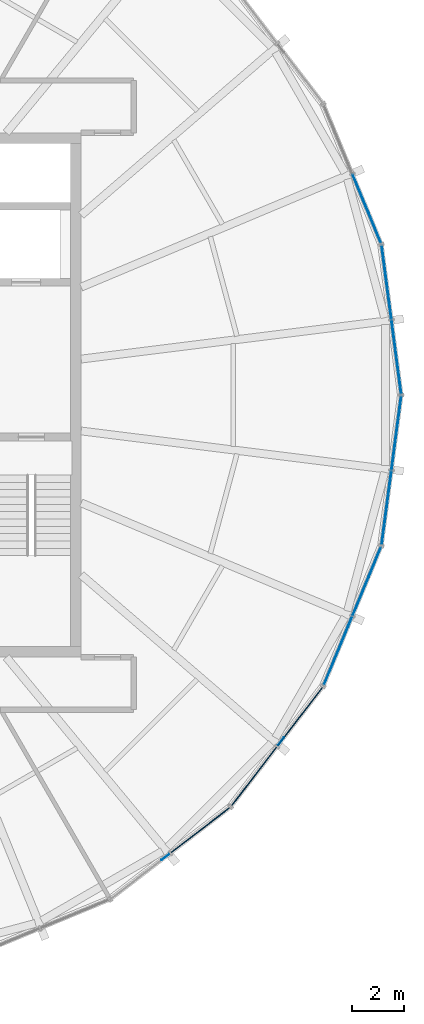
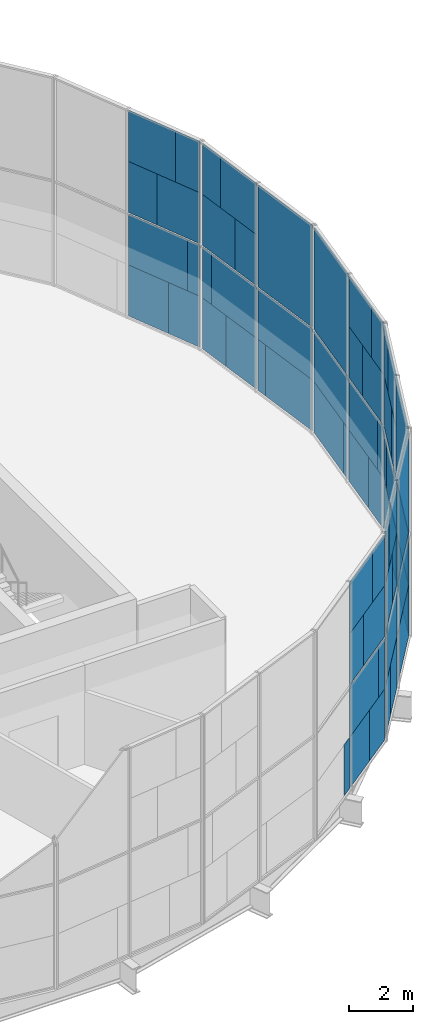
# One storey, part 12 of 19: 65 plates, 6 elements without a shape of their own.
"""IFC4 building model written with IfcOpenShell, lengths in metres."""

from ifc_helpers import new_model, si_unit, direction, frame, origin, origin_2d, place, context, subcontext, project, spatial, rectangle, extrude, material, layer, layer_set, type_object, element, aggregate, save


model = new_model("IFC4")

# Units and contexts
model_context = context("Model", 3, precision=1e-05, world=origin(), true_north=direction((0.0, 1.0)))
body_context = subcontext(model_context, "Body", "Model", "MODEL_VIEW")
ifc_project = project(units=[si_unit("LENGTHUNIT", "METRE"), si_unit("AREAUNIT", "SQUARE_METRE"), si_unit("VOLUMEUNIT", "CUBIC_METRE"), si_unit("PLANEANGLEUNIT", "RADIAN"), si_unit("MASSUNIT", "GRAM", prefix="KILO")], contexts=[model_context])

# Site, building, storey
site_placement = place(None, origin())
site = spatial("IfcSite", under=ifc_project, at=site_placement, CompositionType="ELEMENT")
building_placement = place(site_placement, origin())
building = spatial("IfcBuilding", under=site, at=building_placement, Name="Golbaran Civic Tower", CompositionType="ELEMENT")
storey_placement = place(building_placement, frame((0.0, 0.0, 256.0)))
storey = spatial("IfcBuildingStorey", under=building, at=storey_placement, Name="L62", CompositionType="ELEMENT", Elevation=256.0)

# Curtain wall, plates
ifc_material_1 = material(Name="Aluminium and glass", Category="aluminium")
curtain_wall_type = type_object("IfcCurtainWallType", Name="INNER SKIN CURTAIN WALL EXECUTIVE", PredefinedType="NOTDEFINED", material=ifc_material_1)
curtain_wall_1_placement = place(storey_placement, origin())
curtain_wall_1 = element("IfcCurtainWall", 1, at=curtain_wall_1_placement, inside=storey, type_object=curtain_wall_type, Name="Inner skin L62 facet 1 CW2", ObjectType="INNER SKIN", PredefinedType="USERDEFINED")
ifc_material_2 = material(Name="Clear insulating glass", Category="glass")
ifc_layer_1 = layer(ifc_material_2, 0.031982421875, Name="Clear insulating glass")
ifc_layer_set_1 = layer_set([ifc_layer_1], Name="Clear insulating glass")
plate_type_1 = type_object("IfcPlateType", Name="INNER SKIN CURTAIN WALL EXECUTIVE GLAZED PANEL", PredefinedType="CURTAIN_PANEL", material=ifc_layer_set_1)
plate_1_placement = place(storey_placement, frame((22.048095703125, 1.253173828125, 0.06005859375), z_axis=(0.0, 0.0, 1.0), x_axis=(-0.130526192272, 0.991444861367, 0.0)))
plate_1 = element("IfcPlate", 2, at=plate_1_placement, type_object=plate_type_1, Name="CW2 panel 1.1 part 1", PredefinedType="CURTAIN_PANEL", context=body_context, shape_type="SweptSolid", body=[
    extrude(rectangle(XDim=2.407958984375, YDim=0.031982421875, at=origin_2d()), origin(), (0.0, 0.0, 1.0), 1.955078125),
])
plate_2_placement = place(storey_placement, frame((22.021728515625, 1.4521484375, 2.014892578125), z_axis=(0.0, 0.0, 1.0), x_axis=(-0.130526192272, 0.991444861367, 0.0)))
plate_2 = element("IfcPlate", 3, at=plate_2_placement, type_object=plate_type_1, Name="CW2 panel 1.1 part 3", PredefinedType="CURTAIN_PANEL", context=body_context, shape_type="SweptSolid", body=[
    extrude(rectangle(XDim=2.809326171875, YDim=0.031982421875, at=origin_2d()), origin(), (0.0, 0.0, 1.0), 1.955078125),
])
plate_3_placement = place(storey_placement, frame((22.021728515625, 1.4521484375, 4.0302734375), z_axis=(0.0, 0.0, 1.0), x_axis=(-0.130526192272, 0.991444861367, 0.0)))
plate_3 = element("IfcPlate", 4, at=plate_3_placement, type_object=plate_type_1, Name="CW2 panel 1.2", PredefinedType="CURTAIN_PANEL", context=body_context, shape_type="SweptSolid", body=[
    extrude(rectangle(XDim=2.809326171875, YDim=0.031982421875, at=origin_2d()), origin(), (0.0, 0.0, 1.0), 3.909912109375),
])
plate_4_placement = place(storey_placement, frame((21.5439453125, 5.081298828125, 0.06005859375), z_axis=(0.0, 0.0, 1.0), x_axis=(-0.130526192272, 0.991444861367, 0.0)))
plate_4 = element("IfcPlate", 5, at=plate_4_placement, type_object=plate_type_1, Name="CW2 panel 2.1 part 2", PredefinedType="CURTAIN_PANEL", context=body_context, shape_type="SweptSolid", body=[
    extrude(rectangle(XDim=1.227294921875, YDim=0.031982421875, at=origin_2d()), origin(), (0.0, 0.0, 1.0), 1.955078125),
])
plate_5_placement = place(storey_placement, frame((21.495849609375, 5.447998046875, 2.014892578125), z_axis=(0.0, 0.0, 1.0), x_axis=(-0.130526192272, 0.991444861367, 0.0)))
plate_5 = element("IfcPlate", 6, at=plate_5_placement, type_object=plate_type_1, Name="CW2 panel 2.1 part 4", PredefinedType="CURTAIN_PANEL", context=body_context, shape_type="SweptSolid", body=[
    extrude(rectangle(XDim=0.4873046875, YDim=0.031982421875, at=origin_2d()), origin(), (0.0, 0.0, 1.0), 1.955078125),
])
plate_6_placement = place(storey_placement, frame((21.757568359375, 3.45849609375, 4.030029296875), z_axis=(0.0, 0.0, 1.0), x_axis=(-0.130526192272, 0.991444861367, 0.0)))
plate_6 = element("IfcPlate", 7, at=plate_6_placement, type_object=plate_type_1, Name="CW2 panel 2.2 part 1", PredefinedType="CURTAIN_PANEL", context=body_context, shape_type="SweptSolid", body=[
    extrude(rectangle(XDim=1.117919921875, YDim=0.031982421875, at=origin_2d()), origin(), (0.0, 0.0, 1.0), 1.955078125),
])
plate_7_placement = place(storey_placement, frame((21.70947265625, 3.824951171875, 5.98486328125), z_axis=(0.0, 0.0, 1.0), x_axis=(-0.130526192272, 0.991444861367, 0.0)))
plate_7 = element("IfcPlate", 8, at=plate_7_placement, type_object=plate_type_1, Name="CW2 panel 2.2 part 3", PredefinedType="CURTAIN_PANEL", context=body_context, shape_type="SweptSolid", body=[
    extrude(rectangle(XDim=1.85693359375, YDim=0.031982421875, at=origin_2d()), origin(), (0.0, 0.0, 1.0), 1.955078125),
])

curtain_wall_2_placement = place(storey_placement, origin())
curtain_wall_2 = element("IfcCurtainWall", 9, at=curtain_wall_2_placement, inside=storey, type_object=curtain_wall_type, Name="Inner skin L62 facet 2 CW2", ObjectType="INNER SKIN", PredefinedType="USERDEFINED")
plate_8_placement = place(storey_placement, frame((21.198486328125, 6.371337890625, 0.06005859375), z_axis=(0.0, 0.0, 1.0), x_axis=(-0.382683432365, 0.923879532511, 0.0)))
plate_8 = element("IfcPlate", 10, at=plate_8_placement, type_object=plate_type_1, Name="CW2 panel 1.1 part 1", PredefinedType="CURTAIN_PANEL", context=body_context, shape_type="SweptSolid", body=[
    extrude(rectangle(XDim=1.22705078125, YDim=0.031982421875, at=origin_2d()), origin(), (0.0, 0.0, 1.0), 1.955078125),
])
plate_9_placement = place(storey_placement, frame((21.33984375, 6.030029296875, 2.014892578125), z_axis=(0.0, 0.0, 1.0), x_axis=(-0.382683432365, 0.923879532511, 0.0)))
plate_9 = element("IfcPlate", 11, at=plate_9_placement, type_object=plate_type_1, Name="CW2 panel 1.1 part 3", PredefinedType="CURTAIN_PANEL", context=body_context, shape_type="SweptSolid", body=[
    extrude(rectangle(XDim=0.488037109375, YDim=0.031982421875, at=origin_2d()), origin(), (0.0, 0.0, 1.0), 1.955078125),
])
plate_10_placement = place(storey_placement, frame((20.57177734375, 7.884033203125, 4.030029296875), z_axis=(0.0, 0.0, 1.0), x_axis=(-0.382683432365, 0.923879532511, 0.0)))
plate_10 = element("IfcPlate", 12, at=plate_10_placement, type_object=plate_type_1, Name="CW2 panel 1.2 part 2", PredefinedType="CURTAIN_PANEL", context=body_context, shape_type="SweptSolid", body=[
    extrude(rectangle(XDim=1.117431640625, YDim=0.031982421875, at=origin_2d()), origin(), (0.0, 0.0, 1.0), 1.955078125),
])
plate_11_placement = place(storey_placement, frame((20.71337890625, 7.5419921875, 5.98486328125), z_axis=(0.0, 0.0, 1.0), x_axis=(-0.382683432365, 0.923879532511, 0.0)))
plate_11 = element("IfcPlate", 13, at=plate_11_placement, type_object=plate_type_1, Name="CW2 panel 1.2 part 4", PredefinedType="CURTAIN_PANEL", context=body_context, shape_type="SweptSolid", body=[
    extrude(rectangle(XDim=1.857421875, YDim=0.031982421875, at=origin_2d()), origin(), (0.0, 0.0, 1.0), 1.955078125),
])

curtain_wall_3_placement = place(storey_placement, origin())
curtain_wall_3 = element("IfcCurtainWall", 14, at=curtain_wall_3_placement, inside=storey, type_object=curtain_wall_type, Name="Inner skin L62 facet 21 CW2", ObjectType="INNER SKIN", PredefinedType="USERDEFINED")
plate_12_placement = place(storey_placement, frame((15.172607421875, -16.1171875, 0.06005859375), z_axis=(0.0, 0.0, 1.0), x_axis=(0.793353340238, 0.608761429078, 0.0)))
plate_12 = element("IfcPlate", 15, at=plate_12_placement, type_object=plate_type_1, Name="CW2 panel 2.1 part 2", PredefinedType="CURTAIN_PANEL", context=body_context, shape_type="SweptSolid", body=[
    extrude(rectangle(XDim=1.227294921875, YDim=0.031982421875, at=origin_2d()), origin(), (0.0, 0.0, 1.0), 1.955078125),
])
plate_13_placement = place(storey_placement, frame((15.466064453125, -15.891845703125, 2.014892578125), z_axis=(0.0, 0.0, 1.0), x_axis=(0.793353340238, 0.608761429078, 0.0)))
plate_13 = element("IfcPlate", 16, at=plate_13_placement, type_object=plate_type_1, Name="CW2 panel 2.1 part 4", PredefinedType="CURTAIN_PANEL", context=body_context, shape_type="SweptSolid", body=[
    extrude(rectangle(XDim=0.4873046875, YDim=0.031982421875, at=origin_2d()), origin(), (0.0, 0.0, 1.0), 1.955078125),
])
plate_14_placement = place(storey_placement, frame((13.8740234375, -17.113525390625, 4.030029296875), z_axis=(0.0, 0.0, 1.0), x_axis=(0.793353340238, 0.608761429078, 0.0)))
plate_14 = element("IfcPlate", 17, at=plate_14_placement, type_object=plate_type_1, Name="CW2 panel 2.2 part 1", PredefinedType="CURTAIN_PANEL", context=body_context, shape_type="SweptSolid", body=[
    extrude(rectangle(XDim=1.117919921875, YDim=0.031982421875, at=origin_2d()), origin(), (0.0, 0.0, 1.0), 1.955078125),
])
plate_15_placement = place(storey_placement, frame((14.167236328125, -16.888427734375, 5.98486328125), z_axis=(0.0, 0.0, 1.0), x_axis=(0.793353340238, 0.608761429078, 0.0)))
plate_15 = element("IfcPlate", 18, at=plate_15_placement, type_object=plate_type_1, Name="CW2 panel 2.2 part 3", PredefinedType="CURTAIN_PANEL", context=body_context, shape_type="SweptSolid", body=[
    extrude(rectangle(XDim=1.85693359375, YDim=0.031982421875, at=origin_2d()), origin(), (0.0, 0.0, 1.0), 1.955078125),
])

curtain_wall_4_placement = place(storey_placement, origin())
curtain_wall_4 = element("IfcCurtainWall", 19, at=curtain_wall_4_placement, inside=storey, type_object=curtain_wall_type, Name="Inner skin L62 facet 22 CW2", ObjectType="INNER SKIN", PredefinedType="USERDEFINED")
plate_16_placement = place(storey_placement, frame((16.116943359375, -15.172607421875, 0.06005859375), z_axis=(0.0, 0.0, 1.0), x_axis=(0.608761429078, 0.793353340238, 0.0)))
plate_16 = element("IfcPlate", 20, at=plate_16_placement, type_object=plate_type_1, Name="CW2 panel 1.1 part 1", PredefinedType="CURTAIN_PANEL", context=body_context, shape_type="SweptSolid", body=[
    extrude(rectangle(XDim=1.22705078125, YDim=0.031982421875, at=origin_2d()), origin(), (0.0, 0.0, 1.0), 1.955078125),
])
plate_17_placement = place(storey_placement, frame((15.89208984375, -15.4658203125, 2.014892578125), z_axis=(0.0, 0.0, 1.0), x_axis=(0.608761429078, 0.793353340238, 0.0)))
plate_17 = element("IfcPlate", 21, at=plate_17_placement, type_object=plate_type_1, Name="CW2 panel 1.1 part 3", PredefinedType="CURTAIN_PANEL", context=body_context, shape_type="SweptSolid", body=[
    extrude(rectangle(XDim=0.488037109375, YDim=0.031982421875, at=origin_2d()), origin(), (0.0, 0.0, 1.0), 1.955078125),
])
plate_18_placement = place(storey_placement, frame((17.113525390625, -13.873779296875, 4.030029296875), z_axis=(0.0, 0.0, 1.0), x_axis=(0.608761429078, 0.793353340238, 0.0)))
plate_18 = element("IfcPlate", 22, at=plate_18_placement, type_object=plate_type_1, Name="CW2 panel 1.2 part 2", PredefinedType="CURTAIN_PANEL", context=body_context, shape_type="SweptSolid", body=[
    extrude(rectangle(XDim=1.117431640625, YDim=0.031982421875, at=origin_2d()), origin(), (0.0, 0.0, 1.0), 1.955078125),
])
plate_19_placement = place(storey_placement, frame((16.888427734375, -14.167236328125, 5.98486328125), z_axis=(0.0, 0.0, 1.0), x_axis=(0.608761429078, 0.793353340238, 0.0)))
plate_19 = element("IfcPlate", 23, at=plate_19_placement, type_object=plate_type_1, Name="CW2 panel 1.2 part 4", PredefinedType="CURTAIN_PANEL", context=body_context, shape_type="SweptSolid", body=[
    extrude(rectangle(XDim=1.857421875, YDim=0.031982421875, at=origin_2d()), origin(), (0.0, 0.0, 1.0), 1.955078125),
])
plate_20_placement = place(storey_placement, frame((18.467041015625, -12.10986328125, 0.06005859375), z_axis=(0.0, 0.0, 1.0), x_axis=(0.608761429078, 0.793353340238, 0.0)))
plate_20 = element("IfcPlate", 24, at=plate_20_placement, type_object=plate_type_1, Name="CW2 panel 2.1 part 2", PredefinedType="CURTAIN_PANEL", context=body_context, shape_type="SweptSolid", body=[
    extrude(rectangle(XDim=2.409423828125, YDim=0.031982421875, at=origin_2d()), origin(), (0.0, 0.0, 1.0), 1.955078125),
])
plate_21_placement = place(storey_placement, frame((18.345458984375, -12.2685546875, 2.014892578125), z_axis=(0.0, 0.0, 1.0), x_axis=(0.608761429078, 0.793353340238, 0.0)))
plate_21 = element("IfcPlate", 25, at=plate_21_placement, type_object=plate_type_1, Name="CW2 panel 2.1 part 3", PredefinedType="CURTAIN_PANEL", context=body_context, shape_type="SweptSolid", body=[
    extrude(rectangle(XDim=2.809326171875, YDim=0.031982421875, at=origin_2d()), origin(), (0.0, 0.0, 1.0), 1.955078125),
])
plate_22_placement = place(storey_placement, frame((18.345458984375, -12.2685546875, 4.0302734375), z_axis=(0.0, 0.0, 1.0), x_axis=(0.608761429078, 0.793353340238, 0.0)))
plate_22 = element("IfcPlate", 26, at=plate_22_placement, type_object=plate_type_1, Name="CW2 panel 2.2", PredefinedType="CURTAIN_PANEL", context=body_context, shape_type="SweptSolid", body=[
    extrude(rectangle(XDim=2.809326171875, YDim=0.031982421875, at=origin_2d()), origin(), (0.0, 0.0, 1.0), 3.909912109375),
])

curtain_wall_5_placement = place(storey_placement, origin())
curtain_wall_5 = element("IfcCurtainWall", 27, at=curtain_wall_5_placement, inside=storey, type_object=curtain_wall_type, Name="Inner skin L62 facet 23 CW2", ObjectType="INNER SKIN", PredefinedType="USERDEFINED")
plate_23_placement = place(storey_placement, frame((19.720703125, -9.938720703125, 0.06005859375), z_axis=(0.0, 0.0, 1.0), x_axis=(0.382683432365, 0.923879532511, 0.0)))
plate_23 = element("IfcPlate", 28, at=plate_23_placement, type_object=plate_type_1, Name="CW2 panel 1.1 part 1", PredefinedType="CURTAIN_PANEL", context=body_context, shape_type="SweptSolid", body=[
    extrude(rectangle(XDim=2.407958984375, YDim=0.031982421875, at=origin_2d()), origin(), (0.0, 0.0, 1.0), 1.955078125),
])
plate_24_placement = place(storey_placement, frame((19.797607421875, -9.75341796875, 2.014892578125), z_axis=(0.0, 0.0, 1.0), x_axis=(0.382683432365, 0.923879532511, 0.0)))
plate_24 = element("IfcPlate", 29, at=plate_24_placement, type_object=plate_type_1, Name="CW2 panel 1.1 part 3", PredefinedType="CURTAIN_PANEL", context=body_context, shape_type="SweptSolid", body=[
    extrude(rectangle(XDim=2.809326171875, YDim=0.031982421875, at=origin_2d()), origin(), (0.0, 0.0, 1.0), 1.955078125),
])
plate_25_placement = place(storey_placement, frame((19.797607421875, -9.75341796875, 4.0302734375), z_axis=(0.0, 0.0, 1.0), x_axis=(0.382683432365, 0.923879532511, 0.0)))
plate_25 = element("IfcPlate", 30, at=plate_25_placement, type_object=plate_type_1, Name="CW2 panel 1.2", PredefinedType="CURTAIN_PANEL", context=body_context, shape_type="SweptSolid", body=[
    extrude(rectangle(XDim=2.809326171875, YDim=0.031982421875, at=origin_2d()), origin(), (0.0, 0.0, 1.0), 3.909912109375),
])
plate_26_placement = place(storey_placement, frame((21.1982421875, -6.37158203125, 0.06005859375), z_axis=(0.0, 0.0, 1.0), x_axis=(0.382683432365, 0.923879532511, 0.0)))
plate_26 = element("IfcPlate", 31, at=plate_26_placement, type_object=plate_type_1, Name="CW2 panel 2.1 part 2", PredefinedType="CURTAIN_PANEL", context=body_context, shape_type="SweptSolid", body=[
    extrude(rectangle(XDim=1.227294921875, YDim=0.031982421875, at=origin_2d()), origin(), (0.0, 0.0, 1.0), 1.955078125),
])
plate_27_placement = place(storey_placement, frame((21.33984375, -6.02978515625, 2.014892578125), z_axis=(0.0, 0.0, 1.0), x_axis=(0.382683432365, 0.923879532511, 0.0)))
plate_27 = element("IfcPlate", 32, at=plate_27_placement, type_object=plate_type_1, Name="CW2 panel 2.1 part 4", PredefinedType="CURTAIN_PANEL", context=body_context, shape_type="SweptSolid", body=[
    extrude(rectangle(XDim=0.4873046875, YDim=0.031982421875, at=origin_2d()), origin(), (0.0, 0.0, 1.0), 1.955078125),
])
plate_28_placement = place(storey_placement, frame((20.572021484375, -7.883544921875, 4.030029296875), z_axis=(0.0, 0.0, 1.0), x_axis=(0.382683432365, 0.923879532511, 0.0)))
plate_28 = element("IfcPlate", 33, at=plate_28_placement, type_object=plate_type_1, Name="CW2 panel 2.2 part 1", PredefinedType="CURTAIN_PANEL", context=body_context, shape_type="SweptSolid", body=[
    extrude(rectangle(XDim=1.117919921875, YDim=0.031982421875, at=origin_2d()), origin(), (0.0, 0.0, 1.0), 1.955078125),
])
plate_29_placement = place(storey_placement, frame((20.71337890625, -7.542236328125, 5.98486328125), z_axis=(0.0, 0.0, 1.0), x_axis=(0.382683432365, 0.923879532511, 0.0)))
plate_29 = element("IfcPlate", 34, at=plate_29_placement, type_object=plate_type_1, Name="CW2 panel 2.2 part 3", PredefinedType="CURTAIN_PANEL", context=body_context, shape_type="SweptSolid", body=[
    extrude(rectangle(XDim=1.85693359375, YDim=0.031982421875, at=origin_2d()), origin(), (0.0, 0.0, 1.0), 1.955078125),
])

curtain_wall_6_placement = place(storey_placement, origin())
curtain_wall_6 = element("IfcCurtainWall", 35, at=curtain_wall_6_placement, inside=storey, type_object=curtain_wall_type, Name="Inner skin L62 facet 24 CW2", ObjectType="INNER SKIN", PredefinedType="USERDEFINED")
plate_30_placement = place(storey_placement, frame((21.5439453125, -5.081298828125, 0.06005859375), z_axis=(0.0, 0.0, 1.0), x_axis=(0.130526192272, 0.991444861367, 0.0)))
plate_30 = element("IfcPlate", 36, at=plate_30_placement, type_object=plate_type_1, Name="CW2 panel 1.1 part 1", PredefinedType="CURTAIN_PANEL", context=body_context, shape_type="SweptSolid", body=[
    extrude(rectangle(XDim=1.22705078125, YDim=0.031982421875, at=origin_2d()), origin(), (0.0, 0.0, 1.0), 1.955078125),
])
plate_31_placement = place(storey_placement, frame((21.495849609375, -5.44775390625, 2.014892578125), z_axis=(0.0, 0.0, 1.0), x_axis=(0.130526192272, 0.991444861367, 0.0)))
plate_31 = element("IfcPlate", 37, at=plate_31_placement, type_object=plate_type_1, Name="CW2 panel 1.1 part 3", PredefinedType="CURTAIN_PANEL", context=body_context, shape_type="SweptSolid", body=[
    extrude(rectangle(XDim=0.488037109375, YDim=0.031982421875, at=origin_2d()), origin(), (0.0, 0.0, 1.0), 1.955078125),
])
plate_32_placement = place(storey_placement, frame((21.7578125, -3.458251953125, 4.030029296875), z_axis=(0.0, 0.0, 1.0), x_axis=(0.130526192272, 0.991444861367, 0.0)))
plate_32 = element("IfcPlate", 38, at=plate_32_placement, type_object=plate_type_1, Name="CW2 panel 1.2 part 2", PredefinedType="CURTAIN_PANEL", context=body_context, shape_type="SweptSolid", body=[
    extrude(rectangle(XDim=1.117431640625, YDim=0.031982421875, at=origin_2d()), origin(), (0.0, 0.0, 1.0), 1.955078125),
])
plate_33_placement = place(storey_placement, frame((21.70947265625, -3.824951171875, 5.98486328125), z_axis=(0.0, 0.0, 1.0), x_axis=(0.130526192272, 0.991444861367, 0.0)))
plate_33 = element("IfcPlate", 39, at=plate_33_placement, type_object=plate_type_1, Name="CW2 panel 1.2 part 4", PredefinedType="CURTAIN_PANEL", context=body_context, shape_type="SweptSolid", body=[
    extrude(rectangle(XDim=1.857421875, YDim=0.031982421875, at=origin_2d()), origin(), (0.0, 0.0, 1.0), 1.955078125),
])
plate_34_placement = place(storey_placement, frame((22.0478515625, -1.25390625, 0.06005859375), z_axis=(0.0, 0.0, 1.0), x_axis=(0.130526192272, 0.991444861367, 0.0)))
plate_34 = element("IfcPlate", 40, at=plate_34_placement, type_object=plate_type_1, Name="CW2 panel 2.1 part 2", PredefinedType="CURTAIN_PANEL", context=body_context, shape_type="SweptSolid", body=[
    extrude(rectangle(XDim=2.409423828125, YDim=0.031982421875, at=origin_2d()), origin(), (0.0, 0.0, 1.0), 1.955078125),
])
plate_35_placement = place(storey_placement, frame((22.021728515625, -1.4521484375, 2.014892578125), z_axis=(0.0, 0.0, 1.0), x_axis=(0.130526192272, 0.991444861367, 0.0)))
plate_35 = element("IfcPlate", 41, at=plate_35_placement, type_object=plate_type_1, Name="CW2 panel 2.1 part 3", PredefinedType="CURTAIN_PANEL", context=body_context, shape_type="SweptSolid", body=[
    extrude(rectangle(XDim=2.809326171875, YDim=0.031982421875, at=origin_2d()), origin(), (0.0, 0.0, 1.0), 1.955078125),
])
plate_36_placement = place(storey_placement, frame((22.021728515625, -1.4521484375, 4.0302734375), z_axis=(0.0, 0.0, 1.0), x_axis=(0.130526192272, 0.991444861367, 0.0)))
plate_36 = element("IfcPlate", 42, at=plate_36_placement, type_object=plate_type_1, Name="CW2 panel 2.2", PredefinedType="CURTAIN_PANEL", context=body_context, shape_type="SweptSolid", body=[
    extrude(rectangle(XDim=2.809326171875, YDim=0.031982421875, at=origin_2d()), origin(), (0.0, 0.0, 1.0), 3.909912109375),
])

# Plate
ifc_material_3 = material(Name="Aluminium faced opaque infill panel", Category="aluminium")
ifc_layer_2 = layer(ifc_material_3, 0.031982421875, Name="Aluminium faced opaque infill panel")
ifc_layer_set_2 = layer_set([ifc_layer_2], Name="Aluminium faced opaque infill panel")
plate_type_2 = type_object("IfcPlateType", Name="INNER SKIN CURTAIN WALL EXECUTIVE OPAQUE INFILL PANEL", PredefinedType="CURTAIN_PANEL", material=ifc_layer_set_2)
plate_37_placement = place(storey_placement, frame((21.86474609375, 2.645751953125, 0.06005859375), z_axis=(0.0, 0.0, 1.0), x_axis=(-0.130526192272, 0.991444861367, 0.0)))
plate_37 = element("IfcPlate", 43, at=plate_37_placement, type_object=plate_type_2, Name="CW2 infill panel 1.1 part 2", PredefinedType="CURTAIN_PANEL", context=body_context, shape_type="SweptSolid", body=[
    extrude(rectangle(XDim=0.4013671875, YDim=0.031982421875, at=origin_2d()), origin(), (0.0, 0.0, 1.0), 1.955078125),
])

plate_38_placement = place(storey_placement, frame((21.727294921875, 3.6884765625, 0.06005859375), z_axis=(0.0, 0.0, 1.0), x_axis=(-0.130526192272, 0.991444861367, 0.0)))
plate_38 = element("IfcPlate", 44, at=plate_38_placement, type_object=plate_type_2, Name="CW2 infill panel 2.1 part 1", PredefinedType="CURTAIN_PANEL", context=body_context, shape_type="SweptSolid", body=[
    extrude(rectangle(XDim=1.58203125, YDim=0.031982421875, at=origin_2d()), origin(), (0.0, 0.0, 1.0), 1.955078125),
])

plate_39_placement = place(storey_placement, frame((21.67919921875, 4.055419921875, 2.014892578125), z_axis=(0.0, 0.0, 1.0), x_axis=(-0.130526192272, 0.991444861367, 0.0)))
plate_39 = element("IfcPlate", 45, at=plate_39_placement, type_object=plate_type_2, Name="CW2 infill panel 2.1 part 3", PredefinedType="CURTAIN_PANEL", context=body_context, shape_type="SweptSolid", body=[
    extrude(rectangle(XDim=2.322021484375, YDim=0.031982421875, at=origin_2d()), origin(), (0.0, 0.0, 1.0), 1.955078125),
])

plate_40_placement = place(storey_placement, frame((21.57421875, 4.851318359375, 4.030029296875), z_axis=(0.0, 0.0, 1.0), x_axis=(-0.130526192272, 0.991444861367, 0.0)))
plate_40 = element("IfcPlate", 46, at=plate_40_placement, type_object=plate_type_2, Name="CW2 infill panel 2.2 part 2", PredefinedType="CURTAIN_PANEL", context=body_context, shape_type="SweptSolid", body=[
    extrude(rectangle(XDim=1.69140625, YDim=0.031982421875, at=origin_2d()), origin(), (0.0, 0.0, 1.0), 1.955078125),
])

plate_41_placement = place(storey_placement, frame((21.526123046875, 5.217529296875, 5.98486328125), z_axis=(0.0, 0.0, 1.0), x_axis=(-0.130526192272, 0.991444861367, 0.0)))
plate_41 = element("IfcPlate", 47, at=plate_41_placement, type_object=plate_type_2, Name="CW2 infill panel 2.2 part 4", PredefinedType="CURTAIN_PANEL", context=body_context, shape_type="SweptSolid", body=[
    extrude(rectangle(XDim=0.952392578125, YDim=0.031982421875, at=origin_2d()), origin(), (0.0, 0.0, 1.0), 1.955078125),
])

aggregate(curtain_wall_1, [plate_1, plate_37, plate_2, plate_3, plate_38, plate_4, plate_39, plate_5, plate_6, plate_40, plate_7, plate_41])

plate_42_placement = place(storey_placement, frame((20.660888671875, 7.669189453125, 0.06005859375), z_axis=(0.0, 0.0, 1.0), x_axis=(-0.382683432365, 0.923879532511, 0.0)))
plate_42 = element("IfcPlate", 48, at=plate_42_placement, type_object=plate_type_2, Name="CW2 infill panel 1.1 part 2", PredefinedType="CURTAIN_PANEL", context=body_context, shape_type="SweptSolid", body=[
    extrude(rectangle(XDim=1.582275390625, YDim=0.031982421875, at=origin_2d()), origin(), (0.0, 0.0, 1.0), 1.955078125),
])

plate_43_placement = place(storey_placement, frame((20.80224609375, 7.327880859375, 2.014892578125), z_axis=(0.0, 0.0, 1.0), x_axis=(-0.382683432365, 0.923879532511, 0.0)))
plate_43 = element("IfcPlate", 49, at=plate_43_placement, type_object=plate_type_2, Name="CW2 infill panel 1.1 part 4", PredefinedType="CURTAIN_PANEL", context=body_context, shape_type="SweptSolid", body=[
    extrude(rectangle(XDim=2.3212890625, YDim=0.031982421875, at=origin_2d()), origin(), (0.0, 0.0, 1.0), 1.955078125),
])

plate_44_placement = place(storey_placement, frame((21.109375, 6.586181640625, 4.030029296875), z_axis=(0.0, 0.0, 1.0), x_axis=(-0.382683432365, 0.923879532511, 0.0)))
plate_44 = element("IfcPlate", 50, at=plate_44_placement, type_object=plate_type_2, Name="CW2 infill panel 1.2 part 1", PredefinedType="CURTAIN_PANEL", context=body_context, shape_type="SweptSolid", body=[
    extrude(rectangle(XDim=1.69189453125, YDim=0.031982421875, at=origin_2d()), origin(), (0.0, 0.0, 1.0), 1.955078125),
])

plate_45_placement = place(storey_placement, frame((21.2509765625, 6.244384765625, 5.98486328125), z_axis=(0.0, 0.0, 1.0), x_axis=(-0.382683432365, 0.923879532511, 0.0)))
plate_45 = element("IfcPlate", 51, at=plate_45_placement, type_object=plate_type_2, Name="CW2 infill panel 1.2 part 3", PredefinedType="CURTAIN_PANEL", context=body_context, shape_type="SweptSolid", body=[
    extrude(rectangle(XDim=0.951904296875, YDim=0.031982421875, at=origin_2d()), origin(), (0.0, 0.0, 1.0), 1.955078125),
])

aggregate(curtain_wall_2, [plate_8, plate_42, plate_9, plate_43, plate_44, plate_10, plate_45, plate_11])

plate_46_placement = place(storey_placement, frame((13.2236328125, -17.612548828125, 0.06005859375), z_axis=(0.0, 0.0, 1.0), x_axis=(0.793353340238, 0.608761429078, 0.0)))
plate_46 = element("IfcPlate", 52, at=plate_46_placement, type_object=plate_type_2, Name="CW2 infill panel 1.1 part 2", PredefinedType="CURTAIN_PANEL", context=body_context, shape_type="SweptSolid", body=[
    extrude(rectangle(XDim=0.4013671875, YDim=0.031982421875, at=origin_2d()), origin(), (0.0, 0.0, 1.0), 1.955078125),
])

plate_47_placement = place(storey_placement, frame((14.05810546875, -16.97216796875, 0.06005859375), z_axis=(0.0, 0.0, 1.0), x_axis=(0.793353340238, 0.608761429078, 0.0)))
plate_47 = element("IfcPlate", 53, at=plate_47_placement, type_object=plate_type_2, Name="CW2 infill panel 2.1 part 1", PredefinedType="CURTAIN_PANEL", context=body_context, shape_type="SweptSolid", body=[
    extrude(rectangle(XDim=1.58203125, YDim=0.031982421875, at=origin_2d()), origin(), (0.0, 0.0, 1.0), 1.955078125),
])

plate_48_placement = place(storey_placement, frame((14.3515625, -16.7470703125, 2.014892578125), z_axis=(0.0, 0.0, 1.0), x_axis=(0.793353340238, 0.608761429078, 0.0)))
plate_48 = element("IfcPlate", 54, at=plate_48_placement, type_object=plate_type_2, Name="CW2 infill panel 2.1 part 3", PredefinedType="CURTAIN_PANEL", context=body_context, shape_type="SweptSolid", body=[
    extrude(rectangle(XDim=2.322021484375, YDim=0.031982421875, at=origin_2d()), origin(), (0.0, 0.0, 1.0), 1.955078125),
])

plate_49_placement = place(storey_placement, frame((14.988525390625, -16.25830078125, 4.030029296875), z_axis=(0.0, 0.0, 1.0), x_axis=(0.793353340238, 0.608761429078, 0.0)))
plate_49 = element("IfcPlate", 55, at=plate_49_placement, type_object=plate_type_2, Name="CW2 infill panel 2.2 part 2", PredefinedType="CURTAIN_PANEL", context=body_context, shape_type="SweptSolid", body=[
    extrude(rectangle(XDim=1.69140625, YDim=0.031982421875, at=origin_2d()), origin(), (0.0, 0.0, 1.0), 1.955078125),
])

plate_50_placement = place(storey_placement, frame((15.281494140625, -16.033447265625, 5.98486328125), z_axis=(0.0, 0.0, 1.0), x_axis=(0.793353340238, 0.608761429078, 0.0)))
plate_50 = element("IfcPlate", 56, at=plate_50_placement, type_object=plate_type_2, Name="CW2 infill panel 2.2 part 4", PredefinedType="CURTAIN_PANEL", context=body_context, shape_type="SweptSolid", body=[
    extrude(rectangle(XDim=0.952392578125, YDim=0.031982421875, at=origin_2d()), origin(), (0.0, 0.0, 1.0), 1.955078125),
])

aggregate(curtain_wall_3, [plate_46, plate_47, plate_12, plate_48, plate_13, plate_14, plate_49, plate_15, plate_50])

plate_51_placement = place(storey_placement, frame((16.97216796875, -14.05810546875, 0.06005859375), z_axis=(0.0, 0.0, 1.0), x_axis=(0.608761429078, 0.793353340238, 0.0)))
plate_51 = element("IfcPlate", 57, at=plate_51_placement, type_object=plate_type_2, Name="CW2 infill panel 1.1 part 2", PredefinedType="CURTAIN_PANEL", context=body_context, shape_type="SweptSolid", body=[
    extrude(rectangle(XDim=1.582275390625, YDim=0.031982421875, at=origin_2d()), origin(), (0.0, 0.0, 1.0), 1.955078125),
])

plate_52_placement = place(storey_placement, frame((16.7470703125, -14.351318359375, 2.014892578125), z_axis=(0.0, 0.0, 1.0), x_axis=(0.608761429078, 0.793353340238, 0.0)))
plate_52 = element("IfcPlate", 58, at=plate_52_placement, type_object=plate_type_2, Name="CW2 infill panel 1.1 part 4", PredefinedType="CURTAIN_PANEL", context=body_context, shape_type="SweptSolid", body=[
    extrude(rectangle(XDim=2.3212890625, YDim=0.031982421875, at=origin_2d()), origin(), (0.0, 0.0, 1.0), 1.955078125),
])

plate_53_placement = place(storey_placement, frame((16.258544921875, -14.98828125, 4.030029296875), z_axis=(0.0, 0.0, 1.0), x_axis=(0.608761429078, 0.793353340238, 0.0)))
plate_53 = element("IfcPlate", 59, at=plate_53_placement, type_object=plate_type_2, Name="CW2 infill panel 1.2 part 1", PredefinedType="CURTAIN_PANEL", context=body_context, shape_type="SweptSolid", body=[
    extrude(rectangle(XDim=1.69189453125, YDim=0.031982421875, at=origin_2d()), origin(), (0.0, 0.0, 1.0), 1.955078125),
])

plate_54_placement = place(storey_placement, frame((16.033203125, -15.28173828125, 5.98486328125), z_axis=(0.0, 0.0, 1.0), x_axis=(0.608761429078, 0.793353340238, 0.0)))
plate_54 = element("IfcPlate", 60, at=plate_54_placement, type_object=plate_type_2, Name="CW2 infill panel 1.2 part 3", PredefinedType="CURTAIN_PANEL", context=body_context, shape_type="SweptSolid", body=[
    extrude(rectangle(XDim=0.951904296875, YDim=0.031982421875, at=origin_2d()), origin(), (0.0, 0.0, 1.0), 1.955078125),
])

plate_55_placement = place(storey_placement, frame((17.612060546875, -13.224365234375, 0.06005859375), z_axis=(0.0, 0.0, 1.0), x_axis=(0.608761429078, 0.793353340238, 0.0)))
plate_55 = element("IfcPlate", 61, at=plate_55_placement, type_object=plate_type_2, Name="CW2 infill panel 2.1 part 1", PredefinedType="CURTAIN_PANEL", context=body_context, shape_type="SweptSolid", body=[
    extrude(rectangle(XDim=0.39990234375, YDim=0.031982421875, at=origin_2d()), origin(), (0.0, 0.0, 1.0), 1.955078125),
])

aggregate(curtain_wall_4, [plate_16, plate_51, plate_17, plate_52, plate_53, plate_18, plate_54, plate_19, plate_55, plate_20, plate_21, plate_22])

plate_56_placement = place(storey_placement, frame((20.25830078125, -8.640869140625, 0.06005859375), z_axis=(0.0, 0.0, 1.0), x_axis=(0.382683432365, 0.923879532511, 0.0)))
plate_56 = element("IfcPlate", 62, at=plate_56_placement, type_object=plate_type_2, Name="CW2 infill panel 1.1 part 2", PredefinedType="CURTAIN_PANEL", context=body_context, shape_type="SweptSolid", body=[
    extrude(rectangle(XDim=0.4013671875, YDim=0.031982421875, at=origin_2d()), origin(), (0.0, 0.0, 1.0), 1.955078125),
])

plate_57_placement = place(storey_placement, frame((20.66064453125, -7.66943359375, 0.06005859375), z_axis=(0.0, 0.0, 1.0), x_axis=(0.382683432365, 0.923879532511, 0.0)))
plate_57 = element("IfcPlate", 63, at=plate_57_placement, type_object=plate_type_2, Name="CW2 infill panel 2.1 part 1", PredefinedType="CURTAIN_PANEL", context=body_context, shape_type="SweptSolid", body=[
    extrude(rectangle(XDim=1.58203125, YDim=0.031982421875, at=origin_2d()), origin(), (0.0, 0.0, 1.0), 1.955078125),
])

plate_58_placement = place(storey_placement, frame((20.80224609375, -7.327392578125, 2.014892578125), z_axis=(0.0, 0.0, 1.0), x_axis=(0.382683432365, 0.923879532511, 0.0)))
plate_58 = element("IfcPlate", 64, at=plate_58_placement, type_object=plate_type_2, Name="CW2 infill panel 2.1 part 3", PredefinedType="CURTAIN_PANEL", context=body_context, shape_type="SweptSolid", body=[
    extrude(rectangle(XDim=2.322021484375, YDim=0.031982421875, at=origin_2d()), origin(), (0.0, 0.0, 1.0), 1.955078125),
])

plate_59_placement = place(storey_placement, frame((21.109619140625, -6.5859375, 4.030029296875), z_axis=(0.0, 0.0, 1.0), x_axis=(0.382683432365, 0.923879532511, 0.0)))
plate_59 = element("IfcPlate", 65, at=plate_59_placement, type_object=plate_type_2, Name="CW2 infill panel 2.2 part 2", PredefinedType="CURTAIN_PANEL", context=body_context, shape_type="SweptSolid", body=[
    extrude(rectangle(XDim=1.69140625, YDim=0.031982421875, at=origin_2d()), origin(), (0.0, 0.0, 1.0), 1.955078125),
])

plate_60_placement = place(storey_placement, frame((21.2509765625, -6.24462890625, 5.98486328125), z_axis=(0.0, 0.0, 1.0), x_axis=(0.382683432365, 0.923879532511, 0.0)))
plate_60 = element("IfcPlate", 66, at=plate_60_placement, type_object=plate_type_2, Name="CW2 infill panel 2.2 part 4", PredefinedType="CURTAIN_PANEL", context=body_context, shape_type="SweptSolid", body=[
    extrude(rectangle(XDim=0.952392578125, YDim=0.031982421875, at=origin_2d()), origin(), (0.0, 0.0, 1.0), 1.955078125),
])

aggregate(curtain_wall_5, [plate_23, plate_56, plate_24, plate_25, plate_57, plate_26, plate_58, plate_27, plate_28, plate_59, plate_29, plate_60])

plate_61_placement = place(storey_placement, frame((21.727294921875, -3.688720703125, 0.06005859375), z_axis=(0.0, 0.0, 1.0), x_axis=(0.130526192272, 0.991444861367, 0.0)))
plate_61 = element("IfcPlate", 67, at=plate_61_placement, type_object=plate_type_2, Name="CW2 infill panel 1.1 part 2", PredefinedType="CURTAIN_PANEL", context=body_context, shape_type="SweptSolid", body=[
    extrude(rectangle(XDim=1.582275390625, YDim=0.031982421875, at=origin_2d()), origin(), (0.0, 0.0, 1.0), 1.955078125),
])

plate_62_placement = place(storey_placement, frame((21.67919921875, -4.05517578125, 2.014892578125), z_axis=(0.0, 0.0, 1.0), x_axis=(0.130526192272, 0.991444861367, 0.0)))
plate_62 = element("IfcPlate", 68, at=plate_62_placement, type_object=plate_type_2, Name="CW2 infill panel 1.1 part 4", PredefinedType="CURTAIN_PANEL", context=body_context, shape_type="SweptSolid", body=[
    extrude(rectangle(XDim=2.3212890625, YDim=0.031982421875, at=origin_2d()), origin(), (0.0, 0.0, 1.0), 1.955078125),
])

plate_63_placement = place(storey_placement, frame((21.574462890625, -4.850830078125, 4.030029296875), z_axis=(0.0, 0.0, 1.0), x_axis=(0.130526192272, 0.991444861367, 0.0)))
plate_63 = element("IfcPlate", 69, at=plate_63_placement, type_object=plate_type_2, Name="CW2 infill panel 1.2 part 1", PredefinedType="CURTAIN_PANEL", context=body_context, shape_type="SweptSolid", body=[
    extrude(rectangle(XDim=1.69189453125, YDim=0.031982421875, at=origin_2d()), origin(), (0.0, 0.0, 1.0), 1.955078125),
])

plate_64_placement = place(storey_placement, frame((21.526123046875, -5.2177734375, 5.98486328125), z_axis=(0.0, 0.0, 1.0), x_axis=(0.130526192272, 0.991444861367, 0.0)))
plate_64 = element("IfcPlate", 70, at=plate_64_placement, type_object=plate_type_2, Name="CW2 infill panel 1.2 part 3", PredefinedType="CURTAIN_PANEL", context=body_context, shape_type="SweptSolid", body=[
    extrude(rectangle(XDim=0.951904296875, YDim=0.031982421875, at=origin_2d()), origin(), (0.0, 0.0, 1.0), 1.955078125),
])

plate_65_placement = place(storey_placement, frame((21.864501953125, -2.646484375, 0.06005859375), z_axis=(0.0, 0.0, 1.0), x_axis=(0.130526192272, 0.991444861367, 0.0)))
plate_65 = element("IfcPlate", 71, at=plate_65_placement, type_object=plate_type_2, Name="CW2 infill panel 2.1 part 1", PredefinedType="CURTAIN_PANEL", context=body_context, shape_type="SweptSolid", body=[
    extrude(rectangle(XDim=0.39990234375, YDim=0.031982421875, at=origin_2d()), origin(), (0.0, 0.0, 1.0), 1.955078125),
])

aggregate(curtain_wall_6, [plate_30, plate_61, plate_31, plate_62, plate_63, plate_32, plate_64, plate_33, plate_65, plate_34, plate_35, plate_36])

save(model, "model.ifc")
